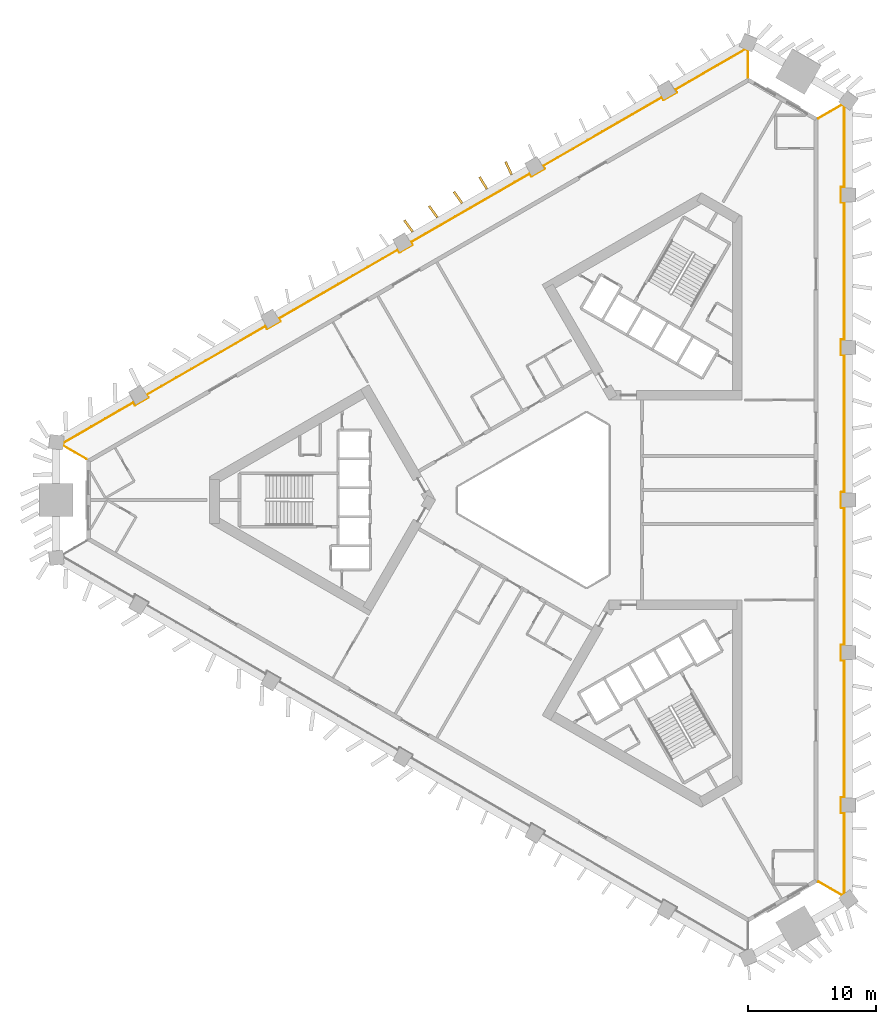
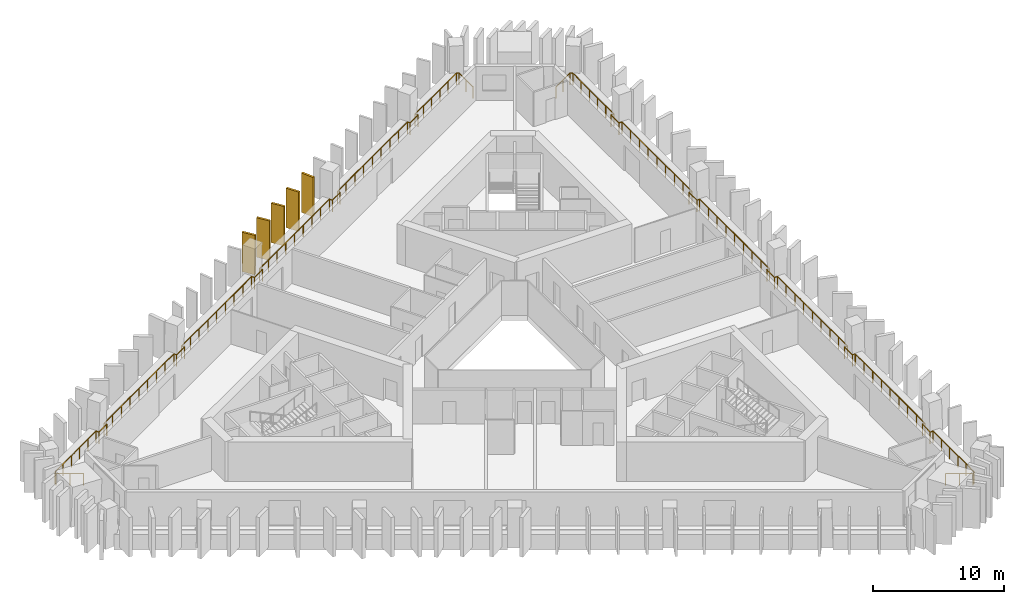
# One storey, part 9 of 10: 5 shading devices, 2 railings.
"""IFC4 building model written with IfcOpenShell, lengths in metres."""

from ifc_helpers import new_model, si_unit, direction, frame, frame_2d, origin, origin_2d, place, context, subcontext, project, spatial, rectangle, circle, extrude, material, layer, layer_set, type_object, element, save


model = new_model("IFC4")

# Units and contexts
model_context = context("Model", 3, precision=1e-05, world=origin(), true_north=direction((0.0, 1.0)))
body_context = subcontext(model_context, "Body", "Model", "MODEL_VIEW")
ifc_project = project(units=[si_unit("LENGTHUNIT", "METRE"), si_unit("AREAUNIT", "SQUARE_METRE"), si_unit("VOLUMEUNIT", "CUBIC_METRE"), si_unit("PLANEANGLEUNIT", "RADIAN"), si_unit("MASSUNIT", "GRAM", prefix="KILO")], contexts=[model_context])

# Site, building, storey
site_placement = place(None, origin())
site = spatial("IfcSite", under=ifc_project, at=site_placement, CompositionType="ELEMENT")
building_placement = place(site_placement, origin())
building = spatial("IfcBuilding", under=site, at=building_placement, Name="Jabali Bay Hotel Tower and Convention Centre", CompositionType="ELEMENT")
storey_placement = place(building_placement, frame((0.0, 0.0, 72.10009765625)))
storey = spatial("IfcBuildingStorey", under=building, at=storey_placement, Name="L16", CompositionType="ELEMENT", Elevation=72.10009765625)

# Railings
ifc_material_1 = material(Name="Glass", Category="glass")
railing_type = type_object("IfcRailingType", Name="Loggia glass guard 1100", PredefinedType="BALUSTRADE", material=ifc_material_1)
railing_1_placement = place(storey_placement, frame((95.85009765625, 109.748291015625, 0.0)))
element("IfcRailing", 1, at=railing_1_placement, inside=storey, type_object=railing_type, Name="Loggia glass guard L16", PredefinedType="BALUSTRADE", context=body_context, shape_type="SweptSolid", body=[
    extrude(circle(Radius=0.02490234375, at=origin_2d()), frame((0.0, 0.0, 1.0751953125), z_axis=(0.866027613664, 0.499996172356, 0.0), x_axis=(-0.495718635789, 0.858618627375, 0.13052619222)), (0.0, 0.0, 1.0), 2.1103515625),
    extrude(circle(Radius=0.02490234375, at=origin_2d()), frame((1.82763671875, 1.05517578125, 1.0751953125), z_axis=(0.802448385705, -0.596721533279, 0.0), x_axis=(0.591616497841, 0.795583328525, 0.13052619222)), (0.0, 0.0, 1.0), 0.21484375),
    extrude(circle(Radius=0.02490234375, at=origin_2d()), frame((2.0, 0.927001953125, 1.0751953125), z_axis=(0.0, -1.0, 0.0), x_axis=(0.991444861374, 0.0, 0.13052619222)), (0.0, 0.0, 1.0), 6.293212890625),
    extrude(circle(Radius=0.02490234375, at=origin_2d()), frame((2.0, -5.3662109375, 1.0751953125), z_axis=(-1.0, 0.0, 0.0), x_axis=(0.0, -0.991444861374, 0.13052619222)), (0.0, 0.0, 1.0), 0.25),
    extrude(circle(Radius=0.02490234375, at=origin_2d()), frame((1.75, -5.3662109375, 1.0751953125), z_axis=(0.0, -1.0, 0.0), x_axis=(0.991444861374, 0.0, 0.13052619222)), (0.0, 0.0, 1.0), 1.199951171875),
    extrude(circle(Radius=0.02490234375, at=origin_2d()), frame((1.75, -6.566162109375, 1.0751953125), z_axis=(1.0, 0.0, 0.0), x_axis=(0.0, 0.991444861374, 0.13052619222)), (0.0, 0.0, 1.0), 0.25),
    extrude(circle(Radius=0.02490234375, at=origin_2d()), frame((2.0, -6.566162109375, 1.0751953125), z_axis=(0.0, -1.0, 0.0), x_axis=(0.991444861374, 0.0, 0.13052619222)), (0.0, 0.0, 1.0), 10.691162109375),
    extrude(circle(Radius=0.02490234375, at=origin_2d()), frame((2.0, -17.25732421875, 1.0751953125), z_axis=(-1.0, 0.0, 0.0), x_axis=(0.0, -0.991444861374, 0.13052619222)), (0.0, 0.0, 1.0), 0.25),
    extrude(circle(Radius=0.02490234375, at=origin_2d()), frame((1.75, -17.25732421875, 1.0751953125), z_axis=(0.0, -1.0, 0.0), x_axis=(0.991444861374, 0.0, 0.13052619222)), (0.0, 0.0, 1.0), 1.199951171875),
    extrude(circle(Radius=0.02490234375, at=origin_2d()), frame((1.75, -18.457275390625, 1.0751953125), z_axis=(1.0, 0.0, 0.0), x_axis=(0.0, 0.991444861374, 0.13052619222)), (0.0, 0.0, 1.0), 0.25),
    extrude(circle(Radius=0.02490234375, at=origin_2d()), frame((2.0, -18.457275390625, 1.0751953125), z_axis=(0.0, -1.0, 0.0), x_axis=(0.991444861374, 0.0, 0.13052619222)), (0.0, 0.0, 1.0), 10.69091796875),
    extrude(circle(Radius=0.02490234375, at=origin_2d()), frame((2.0, -29.148193359375, 1.0751953125), z_axis=(-1.0, 0.0, 0.0), x_axis=(0.0, -0.991444861374, 0.13052619222)), (0.0, 0.0, 1.0), 0.25),
    extrude(circle(Radius=0.02490234375, at=origin_2d()), frame((1.75, -29.148193359375, 1.0751953125), z_axis=(0.0, -1.0, 0.0), x_axis=(0.991444861374, 0.0, 0.13052619222)), (0.0, 0.0, 1.0), 1.2001953125),
    extrude(circle(Radius=0.02490234375, at=origin_2d()), frame((1.75, -30.348388671875, 1.0751953125), z_axis=(1.0, 0.0, 0.0), x_axis=(0.0, 0.991444861374, 0.13052619222)), (0.0, 0.0, 1.0), 0.25),
    extrude(circle(Radius=0.02490234375, at=origin_2d()), frame((2.0, -30.348388671875, 1.0751953125), z_axis=(0.0, -1.0, 0.0), x_axis=(0.991444861374, 0.0, 0.13052619222)), (0.0, 0.0, 1.0), 10.69091796875),
    extrude(circle(Radius=0.02490234375, at=origin_2d()), frame((2.0, -41.039306640625, 1.0751953125), z_axis=(-1.0, 0.0, 0.0), x_axis=(0.0, -0.991444861374, 0.13052619222)), (0.0, 0.0, 1.0), 0.25),
    extrude(circle(Radius=0.02490234375, at=origin_2d()), frame((1.75, -41.039306640625, 1.0751953125), z_axis=(0.0, -1.0, 0.0), x_axis=(0.991444861374, 0.0, 0.13052619222)), (0.0, 0.0, 1.0), 1.199951171875),
    extrude(circle(Radius=0.02490234375, at=origin_2d()), frame((1.75, -42.2392578125, 1.0751953125), z_axis=(1.0, 0.0, 0.0), x_axis=(0.0, 0.991444861374, 0.13052619222)), (0.0, 0.0, 1.0), 0.25),
    extrude(circle(Radius=0.02490234375, at=origin_2d()), frame((2.0, -42.2392578125, 1.0751953125), z_axis=(0.0, -1.0, 0.0), x_axis=(0.991444861374, 0.0, 0.13052619222)), (0.0, 0.0, 1.0), 10.691162109375),
    extrude(circle(Radius=0.02490234375, at=origin_2d()), frame((2.0, -52.930419921875, 1.0751953125), z_axis=(-1.0, 0.0, 0.0), x_axis=(0.0, -0.991444861374, 0.13052619222)), (0.0, 0.0, 1.0), 0.25),
    extrude(circle(Radius=0.02490234375, at=origin_2d()), frame((1.75, -52.930419921875, 1.0751953125), z_axis=(0.0, -1.0, 0.0), x_axis=(0.991444861374, 0.0, 0.13052619222)), (0.0, 0.0, 1.0), 1.199951171875),
    extrude(circle(Radius=0.02490234375, at=origin_2d()), frame((1.75, -54.13037109375, 1.0751953125), z_axis=(1.0, 0.0, 0.0), x_axis=(0.0, 0.991444861374, 0.13052619222)), (0.0, 0.0, 1.0), 0.25),
    extrude(circle(Radius=0.02490234375, at=origin_2d()), frame((2.0, -54.13037109375, 1.0751953125), z_axis=(0.0, -1.0, 0.0), x_axis=(0.991444861374, 0.0, 0.13052619222)), (0.0, 0.0, 1.0), 6.293212890625),
    extrude(circle(Radius=0.02490234375, at=origin_2d()), frame((2.0, -60.423583984375, 1.0751953125), z_axis=(-0.802448385705, -0.596721533279, 0.0), x_axis=(0.591616497841, -0.795583328525, 0.13052619222)), (0.0, 0.0, 1.0), 0.21484375),
    extrude(circle(Radius=0.02490234375, at=origin_2d()), frame((1.82763671875, -60.5517578125, 1.0751953125), z_axis=(-0.866027613664, 0.499996172356, 0.0), x_axis=(-0.495718635789, -0.858618627375, 0.13052619222)), (0.0, 0.0, 1.0), 2.1103515625),
    extrude(circle(Radius=0.02001953125, at=origin_2d()), origin(), (0.0, 0.0, 1.0), 1.050048828125),
    extrude(circle(Radius=0.02001953125, at=origin_2d()), frame((0.913818359375, 0.527587890625, 0.0)), (0.0, 0.0, 1.0), 1.050048828125),
    extrude(circle(Radius=0.02001953125, at=origin_2d()), frame((1.82763671875, 1.05517578125, 0.0)), (0.0, 0.0, 1.0), 1.050048828125),
    extrude(circle(Radius=0.02001953125, at=origin_2d()), frame((2.0, 0.927001953125, 0.0)), (0.0, 0.0, 1.0), 1.050048828125),
    extrude(circle(Radius=0.02001953125, at=origin_2d()), frame((2.0, -0.33154296875, 0.0)), (0.0, 0.0, 1.0), 1.050048828125),
    extrude(circle(Radius=0.02001953125, at=origin_2d()), frame((2.0, -1.59033203125, 0.0)), (0.0, 0.0, 1.0), 1.050048828125),
    extrude(circle(Radius=0.02001953125, at=origin_2d()), frame((2.0, -2.848876953125, 0.0)), (0.0, 0.0, 1.0), 1.050048828125),
    extrude(circle(Radius=0.02001953125, at=origin_2d()), frame((2.0, -4.107666015625, 0.0)), (0.0, 0.0, 1.0), 1.050048828125),
    extrude(circle(Radius=0.02001953125, at=origin_2d()), frame((2.0, -5.3662109375, 0.0)), (0.0, 0.0, 1.0), 1.050048828125),
    extrude(circle(Radius=0.02001953125, at=origin_2d()), frame((1.75, -5.3662109375, 0.0)), (0.0, 0.0, 1.0), 1.050048828125),
    extrude(circle(Radius=0.02001953125, at=origin_2d()), frame((1.75, -6.566162109375, 0.0)), (0.0, 0.0, 1.0), 1.050048828125),
    extrude(circle(Radius=0.02001953125, at=origin_2d()), frame((2.0, -6.566162109375, 0.0)), (0.0, 0.0, 1.0), 1.050048828125),
    extrude(circle(Radius=0.02001953125, at=origin_2d()), frame((2.0, -7.902587890625, 0.0)), (0.0, 0.0, 1.0), 1.050048828125),
    extrude(circle(Radius=0.02001953125, at=origin_2d()), frame((2.0, -9.239013671875, 0.0)), (0.0, 0.0, 1.0), 1.050048828125),
    extrude(circle(Radius=0.02001953125, at=origin_2d()), frame((2.0, -10.575439453125, 0.0)), (0.0, 0.0, 1.0), 1.050048828125),
    extrude(circle(Radius=0.02001953125, at=origin_2d()), frame((2.0, -11.91162109375, 0.0)), (0.0, 0.0, 1.0), 1.050048828125),
    extrude(circle(Radius=0.02001953125, at=origin_2d()), frame((2.0, -13.248046875, 0.0)), (0.0, 0.0, 1.0), 1.050048828125),
    extrude(circle(Radius=0.02001953125, at=origin_2d()), frame((2.0, -14.58447265625, 0.0)), (0.0, 0.0, 1.0), 1.050048828125),
    extrude(circle(Radius=0.02001953125, at=origin_2d()), frame((2.0, -15.9208984375, 0.0)), (0.0, 0.0, 1.0), 1.050048828125),
    extrude(circle(Radius=0.02001953125, at=origin_2d()), frame((2.0, -17.25732421875, 0.0)), (0.0, 0.0, 1.0), 1.050048828125),
    extrude(circle(Radius=0.02001953125, at=origin_2d()), frame((1.75, -17.25732421875, 0.0)), (0.0, 0.0, 1.0), 1.050048828125),
    extrude(circle(Radius=0.02001953125, at=origin_2d()), frame((1.75, -18.457275390625, 0.0)), (0.0, 0.0, 1.0), 1.050048828125),
    extrude(circle(Radius=0.02001953125, at=origin_2d()), frame((2.0, -18.457275390625, 0.0)), (0.0, 0.0, 1.0), 1.050048828125),
    extrude(circle(Radius=0.02001953125, at=origin_2d()), frame((2.0, -19.793701171875, 0.0)), (0.0, 0.0, 1.0), 1.050048828125),
    extrude(circle(Radius=0.02001953125, at=origin_2d()), frame((2.0, -21.1298828125, 0.0)), (0.0, 0.0, 1.0), 1.050048828125),
    extrude(circle(Radius=0.02001953125, at=origin_2d()), frame((2.0, -22.46630859375, 0.0)), (0.0, 0.0, 1.0), 1.050048828125),
    extrude(circle(Radius=0.02001953125, at=origin_2d()), frame((2.0, -23.802734375, 0.0)), (0.0, 0.0, 1.0), 1.050048828125),
    extrude(circle(Radius=0.02001953125, at=origin_2d()), frame((2.0, -25.13916015625, 0.0)), (0.0, 0.0, 1.0), 1.050048828125),
    extrude(circle(Radius=0.02001953125, at=origin_2d()), frame((2.0, -26.4755859375, 0.0)), (0.0, 0.0, 1.0), 1.050048828125),
    extrude(circle(Radius=0.02001953125, at=origin_2d()), frame((2.0, -27.811767578125, 0.0)), (0.0, 0.0, 1.0), 1.050048828125),
    extrude(circle(Radius=0.02001953125, at=origin_2d()), frame((2.0, -29.148193359375, 0.0)), (0.0, 0.0, 1.0), 1.050048828125),
    extrude(circle(Radius=0.02001953125, at=origin_2d()), frame((1.75, -29.148193359375, 0.0)), (0.0, 0.0, 1.0), 1.050048828125),
    extrude(circle(Radius=0.02001953125, at=origin_2d()), frame((1.75, -30.348388671875, 0.0)), (0.0, 0.0, 1.0), 1.050048828125),
    extrude(circle(Radius=0.02001953125, at=origin_2d()), frame((2.0, -30.348388671875, 0.0)), (0.0, 0.0, 1.0), 1.050048828125),
    extrude(circle(Radius=0.02001953125, at=origin_2d()), frame((2.0, -31.684814453125, 0.0)), (0.0, 0.0, 1.0), 1.050048828125),
    extrude(circle(Radius=0.02001953125, at=origin_2d()), frame((2.0, -33.02099609375, 0.0)), (0.0, 0.0, 1.0), 1.050048828125),
    extrude(circle(Radius=0.02001953125, at=origin_2d()), frame((2.0, -34.357421875, 0.0)), (0.0, 0.0, 1.0), 1.050048828125),
    extrude(circle(Radius=0.02001953125, at=origin_2d()), frame((2.0, -35.69384765625, 0.0)), (0.0, 0.0, 1.0), 1.050048828125),
    extrude(circle(Radius=0.02001953125, at=origin_2d()), frame((2.0, -37.0302734375, 0.0)), (0.0, 0.0, 1.0), 1.050048828125),
    extrude(circle(Radius=0.02001953125, at=origin_2d()), frame((2.0, -38.36669921875, 0.0)), (0.0, 0.0, 1.0), 1.050048828125),
    extrude(circle(Radius=0.02001953125, at=origin_2d()), frame((2.0, -39.702880859375, 0.0)), (0.0, 0.0, 1.0), 1.050048828125),
    extrude(circle(Radius=0.02001953125, at=origin_2d()), frame((2.0, -41.039306640625, 0.0)), (0.0, 0.0, 1.0), 1.050048828125),
    extrude(circle(Radius=0.02001953125, at=origin_2d()), frame((1.75, -41.039306640625, 0.0)), (0.0, 0.0, 1.0), 1.050048828125),
    extrude(circle(Radius=0.02001953125, at=origin_2d()), frame((1.75, -42.2392578125, 0.0)), (0.0, 0.0, 1.0), 1.050048828125),
    extrude(circle(Radius=0.02001953125, at=origin_2d()), frame((2.0, -42.2392578125, 0.0)), (0.0, 0.0, 1.0), 1.050048828125),
    extrude(circle(Radius=0.02001953125, at=origin_2d()), frame((2.0, -43.57568359375, 0.0)), (0.0, 0.0, 1.0), 1.050048828125),
    extrude(circle(Radius=0.02001953125, at=origin_2d()), frame((2.0, -44.912109375, 0.0)), (0.0, 0.0, 1.0), 1.050048828125),
    extrude(circle(Radius=0.02001953125, at=origin_2d()), frame((2.0, -46.24853515625, 0.0)), (0.0, 0.0, 1.0), 1.050048828125),
    extrude(circle(Radius=0.02001953125, at=origin_2d()), frame((2.0, -47.5849609375, 0.0)), (0.0, 0.0, 1.0), 1.050048828125),
    extrude(circle(Radius=0.02001953125, at=origin_2d()), frame((2.0, -48.921142578125, 0.0)), (0.0, 0.0, 1.0), 1.050048828125),
    extrude(circle(Radius=0.02001953125, at=origin_2d()), frame((2.0, -50.257568359375, 0.0)), (0.0, 0.0, 1.0), 1.050048828125),
    extrude(circle(Radius=0.02001953125, at=origin_2d()), frame((2.0, -51.593994140625, 0.0)), (0.0, 0.0, 1.0), 1.050048828125),
    extrude(circle(Radius=0.02001953125, at=origin_2d()), frame((2.0, -52.930419921875, 0.0)), (0.0, 0.0, 1.0), 1.050048828125),
    extrude(circle(Radius=0.02001953125, at=origin_2d()), frame((1.75, -52.930419921875, 0.0)), (0.0, 0.0, 1.0), 1.050048828125),
    extrude(circle(Radius=0.02001953125, at=origin_2d()), frame((1.75, -54.13037109375, 0.0)), (0.0, 0.0, 1.0), 1.050048828125),
    extrude(circle(Radius=0.02001953125, at=origin_2d()), frame((2.0, -54.13037109375, 0.0)), (0.0, 0.0, 1.0), 1.050048828125),
    extrude(circle(Radius=0.02001953125, at=origin_2d()), frame((2.0, -55.388916015625, 0.0)), (0.0, 0.0, 1.0), 1.050048828125),
    extrude(circle(Radius=0.02001953125, at=origin_2d()), frame((2.0, -56.647705078125, 0.0)), (0.0, 0.0, 1.0), 1.050048828125),
    extrude(circle(Radius=0.02001953125, at=origin_2d()), frame((2.0, -57.90625, 0.0)), (0.0, 0.0, 1.0), 1.050048828125),
    extrude(circle(Radius=0.02001953125, at=origin_2d()), frame((2.0, -59.1650390625, 0.0)), (0.0, 0.0, 1.0), 1.050048828125),
    extrude(circle(Radius=0.02001953125, at=origin_2d()), frame((2.0, -60.423583984375, 0.0)), (0.0, 0.0, 1.0), 1.050048828125),
    extrude(circle(Radius=0.02001953125, at=origin_2d()), frame((1.82763671875, -60.5517578125, 0.0)), (0.0, 0.0, 1.0), 1.050048828125),
    extrude(circle(Radius=0.02001953125, at=origin_2d()), frame((0.913818359375, -60.024169921875, 0.0)), (0.0, 0.0, 1.0), 1.050048828125),
    extrude(circle(Radius=0.02001953125, at=origin_2d()), frame((0.0, -59.49658203125, 0.0)), (0.0, 0.0, 1.0), 1.050048828125),
])
railing_2_placement = place(storey_placement, frame((38.812255859375, 83.1826171875, 0.0)))
element("IfcRailing", 2, at=railing_2_placement, inside=storey, type_object=railing_type, Name="Loggia glass guard L16", PredefinedType="BALUSTRADE", context=body_context, shape_type="SweptSolid", body=[
    extrude(circle(Radius=0.02490234375, at=origin_2d()), frame((0.0, 0.0, 1.0751953125), z_axis=(-0.86605653045, 0.499946083158, 0.0), x_axis=(-0.495668975111, -0.858647296774, 0.13052619222)), (0.0, 0.0, 1.0), 2.110595703125),
    extrude(circle(Radius=0.02490234375, at=origin_2d()), frame((-1.827880859375, 1.05517578125, 1.0751953125), z_axis=(0.116049066602, 0.993243481801, 0.0), x_axis=(-0.984746146125, 0.11505625075, 0.13052619222)), (0.0, 0.0, 1.0), 0.214599609375),
    extrude(circle(Radius=0.02490234375, at=origin_2d()), frame((-1.802978515625, 1.268310546875, 1.0751953125), z_axis=(0.866021496703, 0.500006767202, 0.0), x_axis=(-0.495729139994, 0.858612562746, 0.13052619222)), (0.0, 0.0, 1.0), 6.29345703125),
    extrude(circle(Radius=0.02490234375, at=origin_2d()), frame((3.647216796875, 4.4150390625, 1.0751953125), z_axis=(0.499919672301, -0.866071776036, 0.0), x_axis=(0.858662411932, 0.495642790202, 0.13052619222)), (0.0, 0.0, 1.0), 0.25),
    extrude(circle(Radius=0.02490234375, at=origin_2d()), frame((3.772216796875, 4.198486328125, 1.0751953125), z_axis=(0.865955154139, 0.50012165622, 0.0), x_axis=(-0.495843046121, 0.858546787751, 0.13052619222)), (0.0, 0.0, 1.0), 1.199951171875),
    extrude(circle(Radius=0.02490234375, at=origin_2d()), frame((4.811279296875, 4.798583984375, 1.0751953125), z_axis=(-0.499919672301, 0.866071776036, 0.0), x_axis=(-0.858662411932, -0.495642790202, 0.13052619222)), (0.0, 0.0, 1.0), 0.25),
    extrude(circle(Radius=0.02490234375, at=origin_2d()), frame((4.686279296875, 5.01513671875, 1.0751953125), z_axis=(0.866029671606, 0.499992607843, 0.0), x_axis=(-0.49571510177, 0.858620667711, 0.13052619222)), (0.0, 0.0, 1.0), 10.691162109375),
    extrude(circle(Radius=0.02490234375, at=origin_2d()), frame((13.945068359375, 10.360595703125, 1.0751953125), z_axis=(0.499919672301, -0.866071776036, 0.0), x_axis=(0.858662411932, 0.495642790202, 0.13052619222)), (0.0, 0.0, 1.0), 0.25),
    extrude(circle(Radius=0.02490234375, at=origin_2d()), frame((14.070068359375, 10.14404296875, 1.0751953125), z_axis=(0.866006032174, 0.500033551112, 0.0), x_axis=(-0.495755694765, 0.858597230518, 0.13052619222)), (0.0, 0.0, 1.0), 1.2001953125),
    extrude(circle(Radius=0.02490234375, at=origin_2d()), frame((15.109375, 10.744140625, 1.0751953125), z_axis=(-0.500342721131, 0.865827443207, 0.0), x_axis=(-0.858420169404, -0.496062219791, 0.13052619222)), (0.0, 0.0, 1.0), 0.249755859375),
    extrude(circle(Radius=0.02490234375, at=origin_2d()), frame((14.984375, 10.96044921875, 1.0751953125), z_axis=(0.866019783401, 0.500009734663, 0.0), x_axis=(-0.495732082068, 0.858610864101, 0.13052619222)), (0.0, 0.0, 1.0), 10.691162109375),
    extrude(circle(Radius=0.02490234375, at=origin_2d()), frame((24.2431640625, 16.30615234375, 1.0751953125), z_axis=(0.499919672301, -0.866071776036, 0.0), x_axis=(0.858662411932, 0.495642790202, 0.13052619222)), (0.0, 0.0, 1.0), 0.25),
    extrude(circle(Radius=0.02490234375, at=origin_2d()), frame((24.3681640625, 16.089599609375, 1.0751953125), z_axis=(0.865955154139, 0.50012165622, 0.0), x_axis=(-0.495843046121, 0.858546787751, 0.13052619222)), (0.0, 0.0, 1.0), 1.199951171875),
    extrude(circle(Radius=0.02490234375, at=origin_2d()), frame((25.4072265625, 16.689697265625, 1.0751953125), z_axis=(-0.500342721131, 0.865827443207, 0.0), x_axis=(-0.858420169404, -0.496062219791, 0.13052619222)), (0.0, 0.0, 1.0), 0.249755859375),
    extrude(circle(Radius=0.02490234375, at=origin_2d()), frame((25.2822265625, 16.906005859375, 1.0751953125), z_axis=(0.866019783401, 0.500009734663, 0.0), x_axis=(-0.495732082068, 0.858610864101, 0.13052619222)), (0.0, 0.0, 1.0), 10.691162109375),
    extrude(circle(Radius=0.02490234375, at=origin_2d()), frame((34.541015625, 22.251708984375, 1.0751953125), z_axis=(0.499919672301, -0.866071776036, 0.0), x_axis=(0.858662411932, 0.495642790202, 0.13052619222)), (0.0, 0.0, 1.0), 0.25),
    extrude(circle(Radius=0.02490234375, at=origin_2d()), frame((34.666015625, 22.03515625, 1.0751953125), z_axis=(0.866006032174, 0.500033551112, 0.0), x_axis=(-0.495755694765, 0.858597230518, 0.13052619222)), (0.0, 0.0, 1.0), 1.2001953125),
    extrude(circle(Radius=0.02490234375, at=origin_2d()), frame((35.705322265625, 22.63525390625, 1.0751953125), z_axis=(-0.500342721131, 0.865827443207, 0.0), x_axis=(-0.858420169404, -0.496062219791, 0.13052619222)), (0.0, 0.0, 1.0), 0.249755859375),
    extrude(circle(Radius=0.02490234375, at=origin_2d()), frame((35.580322265625, 22.8515625, 1.0751953125), z_axis=(0.866019783401, 0.500009734663, 0.0), x_axis=(-0.495732082068, 0.858610864101, 0.13052619222)), (0.0, 0.0, 1.0), 10.691162109375),
    extrude(circle(Radius=0.02490234375, at=origin_2d()), frame((44.839111328125, 28.197265625, 1.0751953125), z_axis=(0.499919672301, -0.866071776036, 0.0), x_axis=(0.858662411932, 0.495642790202, 0.13052619222)), (0.0, 0.0, 1.0), 0.25),
    extrude(circle(Radius=0.02490234375, at=origin_2d()), frame((44.964111328125, 27.980712890625, 1.0751953125), z_axis=(0.866043267704, 0.499969057507, 0.0), x_axis=(-0.495691752911, 0.858634147493, 0.13052619222)), (0.0, 0.0, 1.0), 1.19970703125),
    extrude(circle(Radius=0.02490234375, at=origin_2d()), frame((46.003173828125, 28.58056640625, 1.0751953125), z_axis=(-0.499919672301, 0.866071776036, 0.0), x_axis=(-0.858662411932, -0.495642790202, 0.13052619222)), (0.0, 0.0, 1.0), 0.25),
    extrude(circle(Radius=0.02490234375, at=origin_2d()), frame((45.878173828125, 28.797119140625, 1.0751953125), z_axis=(0.866021496703, 0.500006767202, 0.0), x_axis=(-0.495729139994, 0.858612562746, 0.13052619222)), (0.0, 0.0, 1.0), 6.29345703125),
    extrude(circle(Radius=0.02490234375, at=origin_2d()), frame((51.328369140625, 31.94384765625, 1.0751953125), z_axis=(0.917845837018, -0.396937047236, 0.0), x_axis=(0.393541195771, 0.909993538645, 0.13052619222)), (0.0, 0.0, 1.0), 0.214599609375),
    extrude(circle(Radius=0.02490234375, at=origin_2d()), frame((51.525390625, 31.858642578125, 1.0751953125), z_axis=(0.0, -1.0, 0.0), x_axis=(0.991444861374, 0.0, 0.13052619222)), (0.0, 0.0, 1.0), 2.1103515625),
    extrude(circle(Radius=0.02001953125, at=origin_2d()), origin(), (0.0, 0.0, 1.0), 1.050048828125),
    extrude(circle(Radius=0.02001953125, at=origin_2d()), frame((-0.9140625, 0.527587890625, 0.0)), (0.0, 0.0, 1.0), 1.050048828125),
    extrude(circle(Radius=0.02001953125, at=origin_2d()), frame((-1.827880859375, 1.05517578125, 0.0)), (0.0, 0.0, 1.0), 1.050048828125),
    extrude(circle(Radius=0.02001953125, at=origin_2d()), frame((-1.802978515625, 1.268310546875, 0.0)), (0.0, 0.0, 1.0), 1.050048828125),
    extrude(circle(Radius=0.02001953125, at=origin_2d()), frame((-0.712890625, 1.897705078125, 0.0)), (0.0, 0.0, 1.0), 1.050048828125),
    extrude(circle(Radius=0.02001953125, at=origin_2d()), frame((0.377197265625, 2.527099609375, 0.0)), (0.0, 0.0, 1.0), 1.050048828125),
    extrude(circle(Radius=0.02001953125, at=origin_2d()), frame((1.467041015625, 3.15625, 0.0)), (0.0, 0.0, 1.0), 1.050048828125),
    extrude(circle(Radius=0.02001953125, at=origin_2d()), frame((2.55712890625, 3.78564453125, 0.0)), (0.0, 0.0, 1.0), 1.050048828125),
    extrude(circle(Radius=0.02001953125, at=origin_2d()), frame((3.647216796875, 4.4150390625, 0.0)), (0.0, 0.0, 1.0), 1.050048828125),
    extrude(circle(Radius=0.02001953125, at=origin_2d()), frame((3.772216796875, 4.198486328125, 0.0)), (0.0, 0.0, 1.0), 1.050048828125),
    extrude(circle(Radius=0.02001953125, at=origin_2d()), frame((4.811279296875, 4.798583984375, 0.0)), (0.0, 0.0, 1.0), 1.050048828125),
    extrude(circle(Radius=0.02001953125, at=origin_2d()), frame((4.686279296875, 5.01513671875, 0.0)), (0.0, 0.0, 1.0), 1.050048828125),
    extrude(circle(Radius=0.02001953125, at=origin_2d()), frame((5.84375, 5.683349609375, 0.0)), (0.0, 0.0, 1.0), 1.050048828125),
    extrude(circle(Radius=0.02001953125, at=origin_2d()), frame((7.0009765625, 6.3515625, 0.0)), (0.0, 0.0, 1.0), 1.050048828125),
    extrude(circle(Radius=0.02001953125, at=origin_2d()), frame((8.158203125, 7.019775390625, 0.0)), (0.0, 0.0, 1.0), 1.050048828125),
    extrude(circle(Radius=0.02001953125, at=origin_2d()), frame((9.315673828125, 7.68798828125, 0.0)), (0.0, 0.0, 1.0), 1.050048828125),
    extrude(circle(Radius=0.02001953125, at=origin_2d()), frame((10.47314453125, 8.35595703125, 0.0)), (0.0, 0.0, 1.0), 1.050048828125),
    extrude(circle(Radius=0.02001953125, at=origin_2d()), frame((11.63037109375, 9.024169921875, 0.0)), (0.0, 0.0, 1.0), 1.050048828125),
    extrude(circle(Radius=0.02001953125, at=origin_2d()), frame((12.78759765625, 9.6923828125, 0.0)), (0.0, 0.0, 1.0), 1.050048828125),
    extrude(circle(Radius=0.02001953125, at=origin_2d()), frame((13.945068359375, 10.360595703125, 0.0)), (0.0, 0.0, 1.0), 1.050048828125),
    extrude(circle(Radius=0.02001953125, at=origin_2d()), frame((14.070068359375, 10.14404296875, 0.0)), (0.0, 0.0, 1.0), 1.050048828125),
    extrude(circle(Radius=0.02001953125, at=origin_2d()), frame((15.109375, 10.744140625, 0.0)), (0.0, 0.0, 1.0), 1.050048828125),
    extrude(circle(Radius=0.02001953125, at=origin_2d()), frame((14.984375, 10.96044921875, 0.0)), (0.0, 0.0, 1.0), 1.050048828125),
    extrude(circle(Radius=0.02001953125, at=origin_2d()), frame((16.1416015625, 11.628662109375, 0.0)), (0.0, 0.0, 1.0), 1.050048828125),
    extrude(circle(Radius=0.02001953125, at=origin_2d()), frame((17.299072265625, 12.296875, 0.0)), (0.0, 0.0, 1.0), 1.050048828125),
    extrude(circle(Radius=0.02001953125, at=origin_2d()), frame((18.45654296875, 12.965087890625, 0.0)), (0.0, 0.0, 1.0), 1.050048828125),
    extrude(circle(Radius=0.02001953125, at=origin_2d()), frame((19.61376953125, 13.63330078125, 0.0)), (0.0, 0.0, 1.0), 1.050048828125),
    extrude(circle(Radius=0.02001953125, at=origin_2d()), frame((20.77099609375, 14.301513671875, 0.0)), (0.0, 0.0, 1.0), 1.050048828125),
    extrude(circle(Radius=0.02001953125, at=origin_2d()), frame((21.928466796875, 14.9697265625, 0.0)), (0.0, 0.0, 1.0), 1.050048828125),
    extrude(circle(Radius=0.02001953125, at=origin_2d()), frame((23.0859375, 15.637939453125, 0.0)), (0.0, 0.0, 1.0), 1.050048828125),
    extrude(circle(Radius=0.02001953125, at=origin_2d()), frame((24.2431640625, 16.30615234375, 0.0)), (0.0, 0.0, 1.0), 1.050048828125),
    extrude(circle(Radius=0.02001953125, at=origin_2d()), frame((24.3681640625, 16.089599609375, 0.0)), (0.0, 0.0, 1.0), 1.050048828125),
    extrude(circle(Radius=0.02001953125, at=origin_2d()), frame((25.4072265625, 16.689697265625, 0.0)), (0.0, 0.0, 1.0), 1.050048828125),
    extrude(circle(Radius=0.02001953125, at=origin_2d()), frame((25.2822265625, 16.906005859375, 0.0)), (0.0, 0.0, 1.0), 1.050048828125),
    extrude(circle(Radius=0.02001953125, at=origin_2d()), frame((26.439453125, 17.57421875, 0.0)), (0.0, 0.0, 1.0), 1.050048828125),
    extrude(circle(Radius=0.02001953125, at=origin_2d()), frame((27.596923828125, 18.242431640625, 0.0)), (0.0, 0.0, 1.0), 1.050048828125),
    extrude(circle(Radius=0.02001953125, at=origin_2d()), frame((28.75439453125, 18.91064453125, 0.0)), (0.0, 0.0, 1.0), 1.050048828125),
    extrude(circle(Radius=0.02001953125, at=origin_2d()), frame((29.91162109375, 19.578857421875, 0.0)), (0.0, 0.0, 1.0), 1.050048828125),
    extrude(circle(Radius=0.02001953125, at=origin_2d()), frame((31.06884765625, 20.2470703125, 0.0)), (0.0, 0.0, 1.0), 1.050048828125),
    extrude(circle(Radius=0.02001953125, at=origin_2d()), frame((32.226318359375, 20.915283203125, 0.0)), (0.0, 0.0, 1.0), 1.050048828125),
    extrude(circle(Radius=0.02001953125, at=origin_2d()), frame((33.3837890625, 21.58349609375, 0.0)), (0.0, 0.0, 1.0), 1.050048828125),
    extrude(circle(Radius=0.02001953125, at=origin_2d()), frame((34.541015625, 22.251708984375, 0.0)), (0.0, 0.0, 1.0), 1.050048828125),
    extrude(circle(Radius=0.02001953125, at=origin_2d()), frame((34.666015625, 22.03515625, 0.0)), (0.0, 0.0, 1.0), 1.050048828125),
    extrude(circle(Radius=0.02001953125, at=origin_2d()), frame((35.705322265625, 22.63525390625, 0.0)), (0.0, 0.0, 1.0), 1.050048828125),
    extrude(circle(Radius=0.02001953125, at=origin_2d()), frame((35.580322265625, 22.8515625, 0.0)), (0.0, 0.0, 1.0), 1.050048828125),
    extrude(circle(Radius=0.02001953125, at=origin_2d()), frame((36.73779296875, 23.519775390625, 0.0)), (0.0, 0.0, 1.0), 1.050048828125),
    extrude(circle(Radius=0.02001953125, at=origin_2d()), frame((37.89501953125, 24.18798828125, 0.0)), (0.0, 0.0, 1.0), 1.050048828125),
    extrude(circle(Radius=0.02001953125, at=origin_2d()), frame((39.05224609375, 24.856201171875, 0.0)), (0.0, 0.0, 1.0), 1.050048828125),
    extrude(circle(Radius=0.02001953125, at=origin_2d()), frame((40.209716796875, 25.5244140625, 0.0)), (0.0, 0.0, 1.0), 1.050048828125),
    extrude(circle(Radius=0.02001953125, at=origin_2d()), frame((41.3671875, 26.192626953125, 0.0)), (0.0, 0.0, 1.0), 1.050048828125),
    extrude(circle(Radius=0.02001953125, at=origin_2d()), frame((42.5244140625, 26.86083984375, 0.0)), (0.0, 0.0, 1.0), 1.050048828125),
    extrude(circle(Radius=0.02001953125, at=origin_2d()), frame((43.681640625, 27.529052734375, 0.0)), (0.0, 0.0, 1.0), 1.050048828125),
    extrude(circle(Radius=0.02001953125, at=origin_2d()), frame((44.839111328125, 28.197265625, 0.0)), (0.0, 0.0, 1.0), 1.050048828125),
    extrude(circle(Radius=0.02001953125, at=origin_2d()), frame((44.964111328125, 27.980712890625, 0.0)), (0.0, 0.0, 1.0), 1.050048828125),
    extrude(circle(Radius=0.02001953125, at=origin_2d()), frame((46.003173828125, 28.58056640625, 0.0)), (0.0, 0.0, 1.0), 1.050048828125),
    extrude(circle(Radius=0.02001953125, at=origin_2d()), frame((45.878173828125, 28.797119140625, 0.0)), (0.0, 0.0, 1.0), 1.050048828125),
    extrude(circle(Radius=0.02001953125, at=origin_2d()), frame((46.96826171875, 29.426513671875, 0.0)), (0.0, 0.0, 1.0), 1.050048828125),
    extrude(circle(Radius=0.02001953125, at=origin_2d()), frame((48.058349609375, 30.055908203125, 0.0)), (0.0, 0.0, 1.0), 1.050048828125),
    extrude(circle(Radius=0.02001953125, at=origin_2d()), frame((49.148193359375, 30.68505859375, 0.0)), (0.0, 0.0, 1.0), 1.050048828125),
    extrude(circle(Radius=0.02001953125, at=origin_2d()), frame((50.23828125, 31.314453125, 0.0)), (0.0, 0.0, 1.0), 1.050048828125),
    extrude(circle(Radius=0.02001953125, at=origin_2d()), frame((51.328369140625, 31.94384765625, 0.0)), (0.0, 0.0, 1.0), 1.050048828125),
    extrude(circle(Radius=0.02001953125, at=origin_2d()), frame((51.525390625, 31.858642578125, 0.0)), (0.0, 0.0, 1.0), 1.050048828125),
    extrude(circle(Radius=0.02001953125, at=origin_2d()), frame((51.525390625, 30.803466796875, 0.0)), (0.0, 0.0, 1.0), 1.050048828125),
    extrude(circle(Radius=0.02001953125, at=origin_2d()), frame((51.525390625, 29.748291015625, 0.0)), (0.0, 0.0, 1.0), 1.050048828125),
])

# Shading devices
ifc_material_2 = material(Name="Precast concrete C60", Category="concrete")
ifc_layer = layer(ifc_material_2, 0.179931640625)
ifc_layer_set = layer_set([ifc_layer], Name="Precast concrete C60")
shading_device_type = type_object("IfcShadingDeviceType", Name="Precast fin 3680 x 1100", PredefinedType="USERDEFINED", material=ifc_layer_set)
shading_device_placement = place(storey_placement, frame((71.924560546875, 105.360107421875, 0.010009765625), z_axis=(0.0, 0.0, 1.0), x_axis=(-0.422812561055, 0.906217158419, 0.0)))
element("IfcShadingDevice", 3, at=shading_device_placement, inside=storey, type_object=shading_device_type, Name="Fin L16 046", ObjectType="FIN", PredefinedType="USERDEFINED", context=body_context, shape_type="SweptSolid", body=[
    extrude(rectangle(XDim=1.10009765625, YDim=0.179931640625, at=frame_2d((0.550048828125, 0.0))), origin(), (0.0, 0.0, 1.0), 3.679931640625),
])
for number, where, z_axis, x_axis, name in (
    (4, (69.99951171875, 104.242431640625, 0.010009765625), (0.0, 0.0, 1.0), (-0.52143205137, 0.853292807777, 0.0), "Fin L16 047"),
    (5, (68.068603515625, 103.13525390625, 0.010009765625), (0.0, 0.0, 1.0), (-0.583754954173, 0.811929894436, 0.0), "Fin L16 048"),
):
    element("IfcShadingDevice", number, at=place(storey_placement, frame(where, z_axis=z_axis, x_axis=x_axis)), inside=storey, type_object=shading_device_type, Name=name, ObjectType="FIN", PredefinedType="USERDEFINED", context=body_context, shape_type="SweptSolid", body=[
        extrude(rectangle(XDim=1.099853515625, YDim=0.179931640625, at=frame_2d((0.5498046875, 0.0))), origin(), (0.0, 0.0, 1.0), 3.679931640625),
    ])
for number, where, z_axis, x_axis, name in (
    (6, (66.140869140625, 102.022216796875, 0.010009765625), (0.0, 0.0, 1.0), (-0.584298879841, 0.811538550542, 0.0), "Fin L16 049"),
    (7, (64.213134765625, 100.909423828125, 0.010009765625), (0.0, 0.0, 1.0), (-0.585701220069, 0.810527038913, 0.0), "Fin L16 050"),
):
    element("IfcShadingDevice", number, at=place(storey_placement, frame(where, z_axis=z_axis, x_axis=x_axis)), inside=storey, type_object=shading_device_type, Name=name, ObjectType="FIN", PredefinedType="USERDEFINED", context=body_context, shape_type="SweptSolid", body=[
        extrude(rectangle(XDim=1.10009765625, YDim=0.179931640625, at=frame_2d((0.550048828125, 0.0))), origin(), (0.0, 0.0, 1.0), 3.679931640625),
    ])

save(model, "model.ifc")
